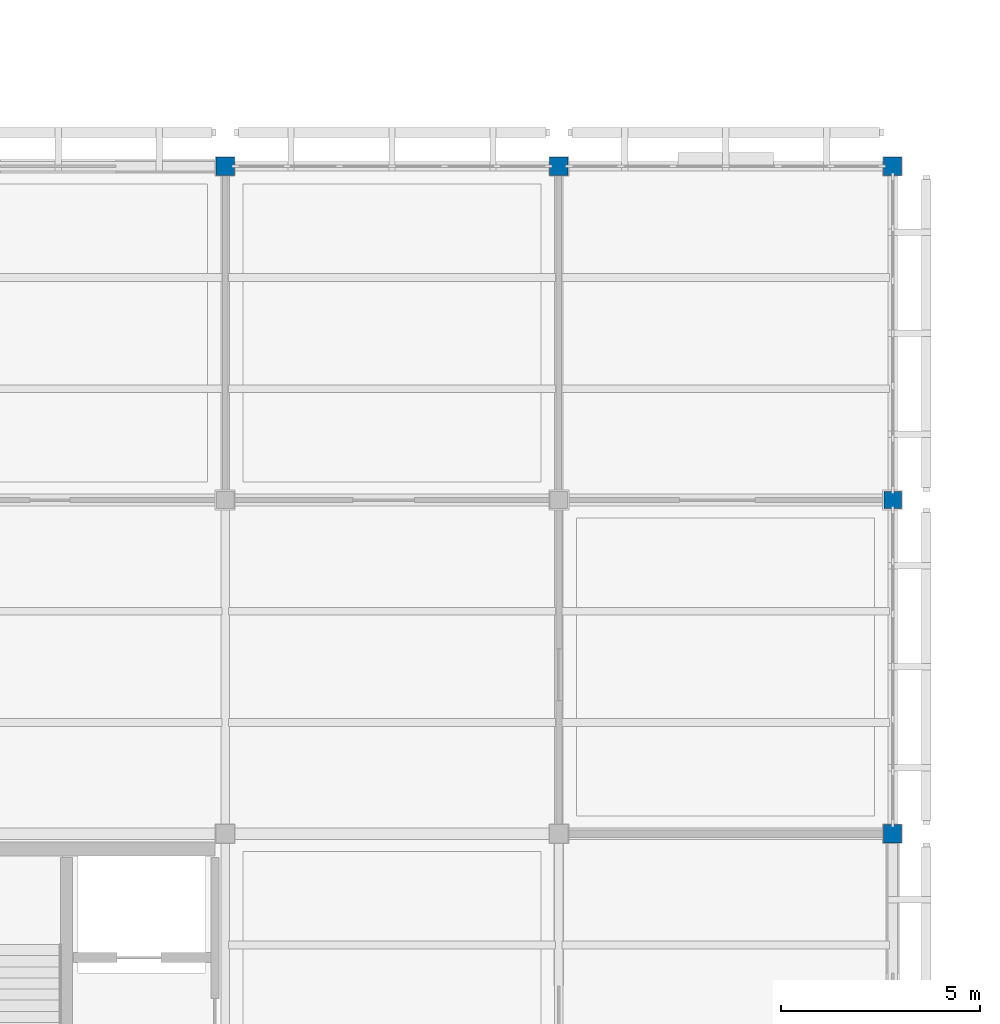
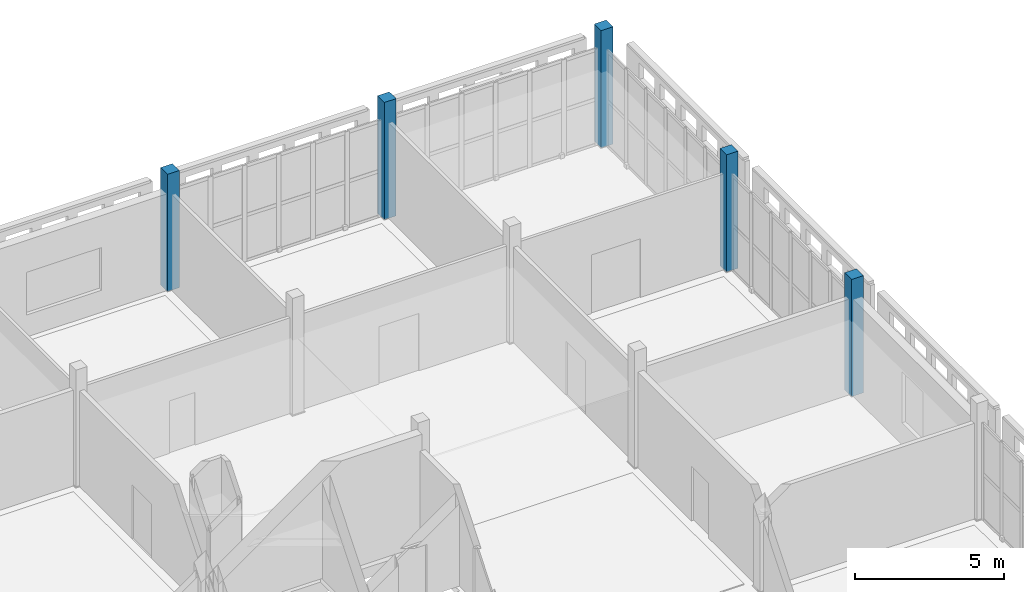
# One storey, part 15 of 203: 5 columns.
"""IFC4 building model written with IfcOpenShell, lengths in metres."""

from ifc_helpers import new_model, si_unit, direction, frame, origin, origin_2d, place, context, subcontext, project, spatial, rectangle, extrude, material, material_profile, profile_set, type_object, element, save


model = new_model("IFC4")

# Units and contexts
model_context = context("Model", 3, precision=1e-05, world=origin(), true_north=direction((0.0, 1.0)))
body_context = subcontext(model_context, "Body", "Model", "MODEL_VIEW")
ifc_project = project(units=[si_unit("LENGTHUNIT", "METRE"), si_unit("AREAUNIT", "SQUARE_METRE"), si_unit("VOLUMEUNIT", "CUBIC_METRE"), si_unit("PLANEANGLEUNIT", "RADIAN"), si_unit("MASSUNIT", "GRAM", prefix="KILO")], contexts=[model_context])

# Site, building, storey
site_placement = place(None, origin())
site = spatial("IfcSite", under=ifc_project, at=site_placement, CompositionType="ELEMENT")
building_placement = place(site_placement, origin())
building = spatial("IfcBuilding", under=site, at=building_placement, Name="Varnapada Polytechnic", CompositionType="ELEMENT")
storey_placement = place(building_placement, frame((0.0, 0.0, 4.800048828125)))
storey = spatial("IfcBuildingStorey", under=building, at=storey_placement, Name="L01", CompositionType="ELEMENT", Elevation=4.800048828125)

# Columns
ifc_material = material(Name="Glulam GL32h", Category="wood")
ifc_material_profile_1 = material_profile(ifc_material, rectangle(XDim=0.4599609375, YDim=0.4599609375, at=origin_2d()), Name="GL 460x460")
ifc_profile_set_1 = profile_set([ifc_material_profile_1], Name="Glulam GL32h")
column_type_1 = type_object("IfcColumnType", Name="Column C-12 (GL 460x460)", PredefinedType="COLUMN", material=ifc_profile_set_1)
for number, where, z_axis, x_axis, name in (
    (1, (159.60009765625, 117.60009765625, 0.0), (0.0, 0.0, 1.0), (1.0, 0.0, 0.0), "L01 column 20/15"),
    (2, (168.0, 117.60009765625, 0.0), (0.0, 0.0, 1.0), (1.0, 0.0, 0.0), "L01 column 21/15"),
    (3, (176.39990234375, 100.800048828125, 0.0), (0.0, 0.0, 1.0), (1.0, 0.0, 0.0), "L01 column 22/13"),
    (4, (176.39990234375, 117.60009765625, 0.0), (0.0, 0.0, 1.0), (1.0, 0.0, 0.0), "L01 column 22/15"),
):
    element("IfcColumn", number, at=place(storey_placement, frame(where, z_axis=z_axis, x_axis=x_axis)), inside=storey, type_object=column_type_1, Name=name, PredefinedType="COLUMN", context=body_context, shape_type="SweptSolid", body=[
        extrude(rectangle(XDim=0.4599609375, YDim=0.4599609375, at=origin_2d()), origin(), (0.0, 0.0, 1.0), 4.800048828125),
    ])
ifc_material_profile_2 = material_profile(ifc_material, rectangle(XDim=0.43994140625, YDim=0.43994140625, at=origin_2d()), Name="GL 440x440")
ifc_profile_set_2 = profile_set([ifc_material_profile_2], Name="Glulam GL32h")
column_type_2 = type_object("IfcColumnType", Name="Column C-26 (GL 440x440)", PredefinedType="COLUMN", material=ifc_profile_set_2)
column_placement = place(storey_placement, frame((176.39990234375, 109.199951171875, 0.0), z_axis=(0.0, 0.0, 1.0), x_axis=(1.0, 0.0, 0.0)))
element("IfcColumn", 5, at=column_placement, inside=storey, type_object=column_type_2, Name="L01 column 22/14", PredefinedType="COLUMN", context=body_context, shape_type="SweptSolid", body=[
    extrude(rectangle(XDim=0.43994140625, YDim=0.43994140625, at=origin_2d()), origin(), (0.0, 0.0, 1.0), 4.800048828125),
])

save(model, "model.ifc")
